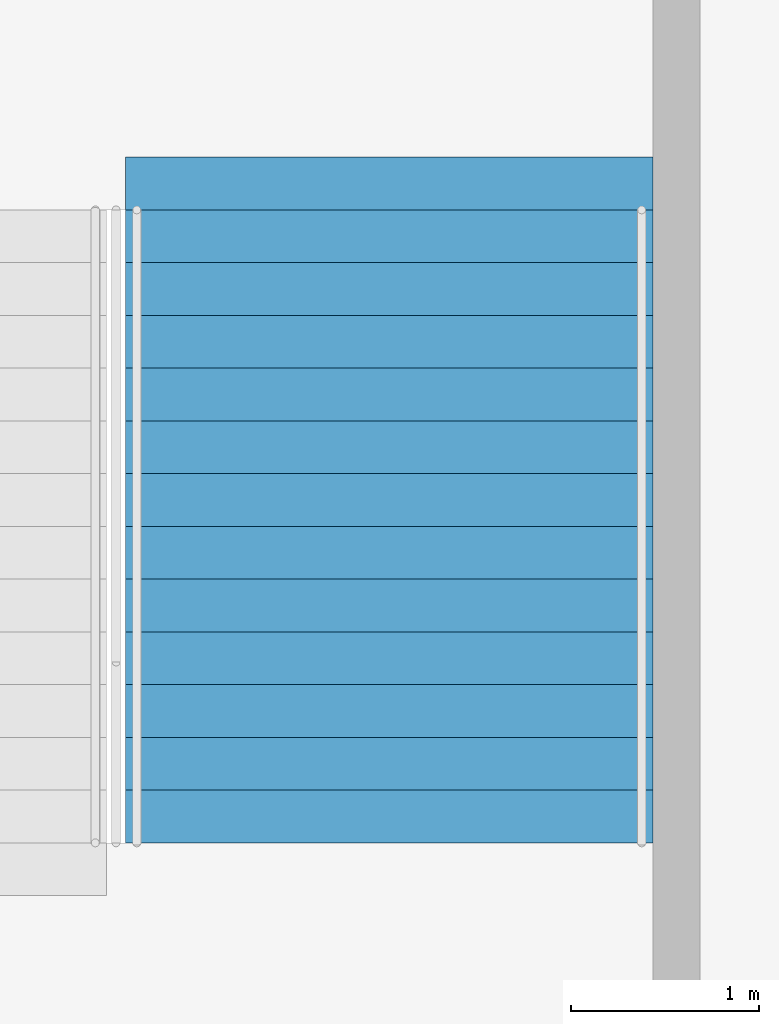
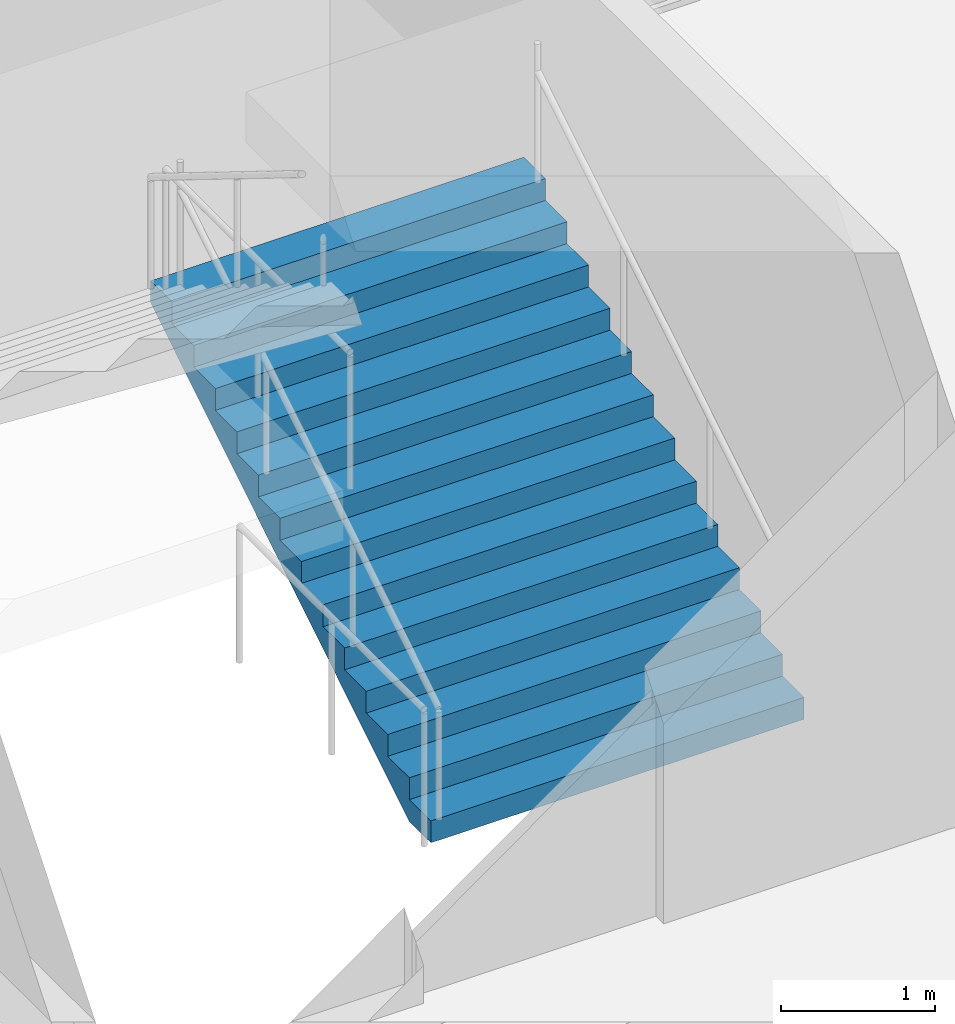
# One storey, part 173 of 199: 1 stair flight, 1 element without a shape of its own.
"""IFC4 building model written with IfcOpenShell, lengths in metres."""

import ifcopenshell
import ifcopenshell.guid

model = None  # the IFC model being written
_history = None  # IfcOwnerHistory: only IFC2X3 demands one
_inside = {}  # id of a spatial element -> (the spatial element, [elements in it])
_under = {}  # id of a project, library or spatial element -> (it, [spatial elements below it])
_declared = {}  # id of a project -> (the project, [libraries it declares])
_typed = {}  # id of a type object -> (the type object, [elements of that type])
_made_of = {}  # id of a material, layer set ... -> (it, [elements and type objects made of it])


def new_model(schema):
    """Start an empty IFC model of exactly this schema.

    Asked for "IFC4X3", IfcOpenShell would pick the latest addendum, in which some entities
    have other attributes; the version numbers below select the first issue.
    IFC2X3 requires an IfcOwnerHistory on every rooted entity: one is made here for all.
    """
    global model, _history
    if schema == "IFC4X3":
        model = ifcopenshell.file(schema_version=(4, 3, 0, 0))
    else:
        model = ifcopenshell.file(schema=schema)
    _inside.clear()
    _under.clear()
    _declared.clear()
    _typed.clear()
    _made_of.clear()
    _history = None
    if model.schema == "IFC2X3":
        org = make("IfcOrganization", Name="unknown")
        user = make(
            "IfcPersonAndOrganization",
            ThePerson=make("IfcPerson", FamilyName="unknown"),
            TheOrganization=org,
        )
        app = make(
            "IfcApplication",
            ApplicationDeveloper=org,
            Version="unknown",
            ApplicationFullName="unknown",
            ApplicationIdentifier="unknown",
        )
        _history = make(
            "IfcOwnerHistory",
            OwningUser=user,
            OwningApplication=app,
            ChangeAction="ADDED",
            CreationDate=0,
        )
    return model


def make(cls, **values):
    """One entity of the class cls with the attributes given. An attribute that is None is left unset."""
    return model.create_entity(
        cls, **{name: value for name, value in values.items() if value is not None}
    )


def rooted(cls, **values):
    """An entity with a GlobalId (a new one), such as an element, a storey or a relation."""
    return make(cls, GlobalId=ifcopenshell.guid.new(), OwnerHistory=_history, **values)


def si_unit(unit_type, name, prefix=None):
    """IfcSIUnit, for example si_unit("LENGTHUNIT", "METRE", prefix="MILLI")."""
    return make("IfcSIUnit", UnitType=unit_type, Prefix=prefix, Name=name)


def assignment(units):
    """IfcUnitAssignment: the units of a project."""
    return None if units is None else make("IfcUnitAssignment", Units=units)


def point(xyz):
    """IfcCartesianPoint."""
    return None if xyz is None else make("IfcCartesianPoint", Coordinates=xyz)


def direction(xyz):
    """IfcDirection."""
    return None if xyz is None else make("IfcDirection", DirectionRatios=xyz)


def frame(location, z_axis=None, x_axis=None):
    """IfcAxis2Placement3D, a coordinate frame: its origin and axes. An axis left out is left unset."""
    return make(
        "IfcAxis2Placement3D",
        Location=point(location),
        Axis=direction(z_axis),
        RefDirection=direction(x_axis),
    )


def origin():
    """The frame at (0, 0, 0) with its axes left unset."""
    return frame((0.0, 0.0, 0.0))


def place(relative_to, where):
    """IfcLocalPlacement: puts the frame where relative to a parent placement (None: the world)."""
    return make(
        "IfcLocalPlacement", PlacementRelTo=relative_to, RelativePlacement=where
    )


def context(
    kind, dimensions, precision=None, world=None, true_north=None, identifier=None
):
    """IfcGeometricRepresentationContext, for example the 3D "Model" context."""
    return make(
        "IfcGeometricRepresentationContext",
        ContextIdentifier=identifier,
        ContextType=kind,
        CoordinateSpaceDimension=dimensions,
        Precision=precision,
        WorldCoordinateSystem=world,
        TrueNorth=true_north,
    )


def subcontext(parent, identifier, kind, view, scale=None):
    """IfcGeometricRepresentationSubContext, for example "Body" below "Model"."""
    return make(
        "IfcGeometricRepresentationSubContext",
        ContextIdentifier=identifier,
        ContextType=kind,
        ParentContext=parent,
        TargetScale=scale,
        TargetView=view,
    )


def project(units=None, contexts=None):
    """IfcProject with its units and contexts."""
    return rooted(
        "IfcProject",
        Name="project",
        RepresentationContexts=contexts,
        UnitsInContext=assignment(units),
    )


def spatial(cls, under=None, at=None, **own):
    """A site, building, storey or space (cls), placed at a placement, below another one or the project."""
    s = rooted(cls, ObjectPlacement=at, **own)
    if under is not None:
        _under.setdefault(under.id(), (under, []))[1].append(s)
    return s


def faces_of(points, faces, orient=None, outer=None):
    """IfcFace entities. A face is a list of loops; a loop is a list of indices into points, from 0.

    orient and outer hold one flag for each loop. By default every Orientation is true, the
    first loop of a face is its IfcFaceOuterBound and the others are IfcFaceBound.
    """
    made = []
    for i, loops in enumerate(faces):
        bounds = []
        for j, loop in enumerate(loops):
            is_outer = j == 0 if outer is None else outer[i][j]
            bounds.append(
                make(
                    "IfcFaceOuterBound" if is_outer else "IfcFaceBound",
                    Bound=make("IfcPolyLoop", Polygon=[points[k] for k in loop]),
                    Orientation=True if orient is None else orient[i][j],
                )
            )
        made.append(make("IfcFace", Bounds=bounds))
    return made


def faceted_brep(points, faces, orient=None, outer=None, voids=None):
    """IfcFacetedBrep: a solid bounded by flat faces; with voids (closed shells), ...WithVoids."""
    shared = [point(p) for p in points]
    hull = make("IfcClosedShell", CfsFaces=faces_of(shared, faces, orient, outer))
    if voids is None:
        return make("IfcFacetedBrep", Outer=hull)
    return make(
        "IfcFacetedBrepWithVoids",
        Outer=hull,
        Voids=[
            make(cls, CfsFaces=faces_of(shared, fs, o, b)) for cls, fs, o, b in voids
        ],
    )


def shape(context_of_items, identifier, shape_type, items):
    """IfcShapeRepresentation: the items that make up one representation, for example the "Body"."""
    return make(
        "IfcShapeRepresentation",
        ContextOfItems=context_of_items,
        RepresentationIdentifier=identifier,
        RepresentationType=shape_type,
        Items=items,
    )


def material(Name=None, Category=None):
    """IfcMaterial."""
    return make("IfcMaterial", Name=Name, Category=Category)


def made_of(thing, what):
    """Note that an element or type object is made of a material, layer set ...; save() writes the relation."""
    if what is not None:
        _made_of.setdefault(what.id(), (what, []))[1].append(thing)
    return thing


def type_object(cls, material=None, **own):
    """A type object (cls), such as IfcWallType, which elements share."""
    return made_of(rooted(cls, **own), material)


def element(
    cls,
    number,
    at=None,
    inside=None,
    cuts=None,
    type_object=None,
    material=None,
    context=None,
    identifier="Body",
    shape_type=None,
    held_by="IfcProductDefinitionShape",
    body=None,
    shapes=None,
    **own,
):
    """One element of the class cls, such as IfcWall. Its Tag is "e" and its number.

    at: its placement. inside: the storey or other place that contains it. cuts: it is an
    opening in that element (IfcRelVoidsElement). A single representation is given by context,
    identifier, shape_type and body (its items); several are given by shapes. held_by: the class
    of the entity that holds the representations. save() writes the other relations.
    """
    e = rooted(cls, Tag="e%d" % number, ObjectPlacement=at, **own)
    if body is not None:
        shapes = [shape(context, identifier, shape_type, body)]
    if shapes is not None:
        e.Representation = make(held_by, Representations=shapes)
    if inside is not None:
        _inside.setdefault(inside.id(), (inside, []))[1].append(e)
    if cuts is not None:
        rooted(
            "IfcRelVoidsElement", RelatingBuildingElement=cuts, RelatedOpeningElement=e
        )
    if type_object is not None:
        _typed.setdefault(type_object.id(), (type_object, []))[1].append(e)
    return made_of(e, material)


def aggregate(whole, parts):
    """IfcRelAggregates: a whole, such as a stair, and the parts it consists of."""
    return rooted("IfcRelAggregates", RelatingObject=whole, RelatedObjects=parts)


def save(model, path):
    """Write the relations noted so far, then the file.

    IfcRelAggregates (storeys below a building ...), IfcRelContainedInSpatialStructure (elements
    in a storey), IfcRelDefinesByType, IfcRelAssociatesMaterial and IfcRelDeclares: one each for
    every whole, place, type object, material and project.
    """
    for whole, parts in _under.values():
        aggregate(whole, parts)
    for where, things in _inside.values():
        rooted(
            "IfcRelContainedInSpatialStructure",
            RelatedElements=things,
            RelatingStructure=where,
        )
    for kind, things in _typed.values():
        rooted("IfcRelDefinesByType", RelatedObjects=things, RelatingType=kind)
    for what, things in _made_of.values():
        rooted("IfcRelAssociatesMaterial", RelatedObjects=things, RelatingMaterial=what)
    for by, libraries in _declared.values():
        rooted("IfcRelDeclares", RelatingContext=by, RelatedDefinitions=libraries)
    model.write(path)


model = new_model("IFC4")

# Units and contexts
model_context = context("Model", 3, precision=1e-05, world=origin(), true_north=direction((0.0, 1.0)))
body_context = subcontext(model_context, "Body", "Model", "MODEL_VIEW")
ifc_project = project(units=[si_unit("LENGTHUNIT", "METRE"), si_unit("AREAUNIT", "SQUARE_METRE"), si_unit("VOLUMEUNIT", "CUBIC_METRE"), si_unit("PLANEANGLEUNIT", "RADIAN"), si_unit("MASSUNIT", "GRAM", prefix="KILO")], contexts=[model_context])

# Site, building, storey
site_placement = place(None, origin())
site = spatial("IfcSite", under=ifc_project, at=site_placement, CompositionType="ELEMENT")
building_placement = place(site_placement, origin())
building = spatial("IfcBuilding", under=site, at=building_placement, Name="Ogive Plaza Stadium", CompositionType="ELEMENT")
storey_placement = place(building_placement, frame((0.0, 0.0, 4.5)))
storey = spatial("IfcBuildingStorey", under=building, at=storey_placement, Name="L01", CompositionType="ELEMENT", Elevation=4.5)

# Stair, stair flight
ifc_material_1 = material(Name="Concrete C40/50", Category="concrete")
stair_type = type_object("IfcStairType", Name="Exit stair", PredefinedType="STRAIGHT_RUN_STAIR", material=ifc_material_1)
stair_placement = place(storey_placement, origin())
stair = element("IfcStair", 1, at=stair_placement, inside=storey, type_object=stair_type, Name="Exit stair ST36A L01 to L02", PredefinedType="STRAIGHT_RUN_STAIR")
ifc_material_2 = material(Name="Concrete C40/50", Category="concrete")
stair_flight_type = type_object("IfcStairFlightType", Name="Exit stair flight", PredefinedType="STRAIGHT", material=ifc_material_2)
stair_flight_placement = place(storey_placement, frame((24.824951171875, 94.85009765625, 0.0), z_axis=(0.0, 0.0, 1.0), x_axis=(0.0, 1.0, 0.0)))
stair_flight = element("IfcStairFlight", 2, at=stair_flight_placement, type_object=stair_flight_type, Name="ST36A flight 1", NumberOfRisers=13, NumberOfTreads=12, PredefinedType="STRAIGHT", RiserHeight=0.173076923, TreadLength=0.28, context=body_context, shape_type="Brep", body=[
    faceted_brep([(0.28515625, -1.39990234375, 0.0), (3.639892578125, -1.39990234375, 2.07373046875), (3.639892578125, -1.39990234375, 2.25), (3.360107421875, -1.39990234375, 2.25), (3.360107421875, -1.39990234375, 2.076904296875), (3.080078125, -1.39990234375, 2.076904296875), (3.080078125, -1.39990234375, 1.90380859375), (2.800048828125, -1.39990234375, 1.90380859375), (2.800048828125, -1.39990234375, 1.730712890625), (2.52001953125, -1.39990234375, 1.730712890625), (2.52001953125, -1.39990234375, 1.5576171875), (2.239990234375, -1.39990234375, 1.5576171875), (2.239990234375, -1.39990234375, 1.384521484375), (1.9599609375, -1.39990234375, 1.384521484375), (1.9599609375, -1.39990234375, 1.21142578125), (1.679931640625, -1.39990234375, 1.21142578125), (1.679931640625, -1.39990234375, 1.03857421875), (1.39990234375, -1.39990234375, 1.03857421875), (1.39990234375, -1.39990234375, 0.865478515625), (1.1201171875, -1.39990234375, 0.865478515625), (1.1201171875, -1.39990234375, 0.6923828125), (0.840087890625, -1.39990234375, 0.6923828125), (0.840087890625, -1.39990234375, 0.519287109375), (0.56005859375, -1.39990234375, 0.519287109375), (0.56005859375, -1.39990234375, 0.34619140625), (0.280029296875, -1.39990234375, 0.34619140625), (0.280029296875, -1.39990234375, 0.173095703125), (0.0, -1.39990234375, 0.173095703125), (0.0, -1.39990234375, 0.0), (0.0, 1.39990234375, 0.0), (0.0, 1.39990234375, 0.173095703125), (0.280029296875, 1.39990234375, 0.173095703125), (0.280029296875, 1.39990234375, 0.34619140625), (0.56005859375, 1.39990234375, 0.34619140625), (0.56005859375, 1.39990234375, 0.519287109375), (0.840087890625, 1.39990234375, 0.519287109375), (0.840087890625, 1.39990234375, 0.6923828125), (1.1201171875, 1.39990234375, 0.6923828125), (1.1201171875, 1.39990234375, 0.865478515625), (1.39990234375, 1.39990234375, 0.865478515625), (1.39990234375, 1.39990234375, 1.03857421875), (1.679931640625, 1.39990234375, 1.03857421875), (1.679931640625, 1.39990234375, 1.21142578125), (1.9599609375, 1.39990234375, 1.21142578125), (1.9599609375, 1.39990234375, 1.384521484375), (2.239990234375, 1.39990234375, 1.384521484375), (2.239990234375, 1.39990234375, 1.5576171875), (2.52001953125, 1.39990234375, 1.5576171875), (2.52001953125, 1.39990234375, 1.730712890625), (2.800048828125, 1.39990234375, 1.730712890625), (2.800048828125, 1.39990234375, 1.90380859375), (3.080078125, 1.39990234375, 1.90380859375), (3.080078125, 1.39990234375, 2.076904296875), (3.360107421875, 1.39990234375, 2.076904296875), (3.360107421875, 1.39990234375, 2.25), (3.639892578125, 1.39990234375, 2.25), (3.639892578125, 1.39990234375, 2.07373046875), (0.28515625, 1.39990234375, 0.0), (0.28515625, -1.0888671875, 0.0), (3.639892578125, -1.0888671875, 2.07373046875), (0.28515625, -0.77783203125, 0.0), (3.639892578125, -0.77783203125, 2.07373046875), (0.28515625, -0.466796875, 0.0), (3.639892578125, -0.466796875, 2.07373046875), (0.28515625, -0.155517578125, 0.0), (3.639892578125, -0.155517578125, 2.07373046875), (0.28515625, 0.155517578125, 0.0), (3.639892578125, 0.155517578125, 2.07373046875), (0.28515625, 0.466796875, 0.0), (3.639892578125, 0.466796875, 2.07373046875), (0.28515625, 0.77783203125, 0.0), (3.639892578125, 0.77783203125, 2.07373046875), (0.28515625, 1.0888671875, 0.0), (3.639892578125, 1.0888671875, 2.07373046875), (3.639892578125, -1.0888671875, 2.25), (3.639892578125, -0.77783203125, 2.25), (3.639892578125, -0.466796875, 2.25), (3.639892578125, -0.155517578125, 2.25), (3.639892578125, 0.155517578125, 2.25), (3.639892578125, 0.466796875, 2.25), (3.639892578125, 0.77783203125, 2.25), (3.639892578125, 1.0888671875, 2.25), (3.360107421875, -1.0888671875, 2.25), (3.360107421875, -0.77783203125, 2.25), (3.360107421875, -0.466796875, 2.25), (3.360107421875, -0.155517578125, 2.25), (3.360107421875, 0.155517578125, 2.25), (3.360107421875, 0.466796875, 2.25), (3.360107421875, 0.77783203125, 2.25), (3.360107421875, 1.0888671875, 2.25), (3.360107421875, -1.0888671875, 2.076904296875), (3.360107421875, -0.77783203125, 2.076904296875), (3.360107421875, -0.466796875, 2.076904296875), (3.360107421875, -0.155517578125, 2.076904296875), (3.360107421875, 0.155517578125, 2.076904296875), (3.360107421875, 0.466796875, 2.076904296875), (3.360107421875, 0.77783203125, 2.076904296875), (3.360107421875, 1.0888671875, 2.076904296875), (3.080078125, -1.0888671875, 2.076904296875), (3.080078125, -0.77783203125, 2.076904296875), (3.080078125, -0.466796875, 2.076904296875), (3.080078125, -0.155517578125, 2.076904296875), (3.080078125, 0.155517578125, 2.076904296875), (3.080078125, 0.466796875, 2.076904296875), (3.080078125, 0.77783203125, 2.076904296875), (3.080078125, 1.0888671875, 2.076904296875), (3.080078125, -1.0888671875, 1.90380859375), (3.080078125, -0.77783203125, 1.90380859375), (3.080078125, -0.466796875, 1.90380859375), (3.080078125, -0.155517578125, 1.90380859375), (3.080078125, 0.155517578125, 1.90380859375), (3.080078125, 0.466796875, 1.90380859375), (3.080078125, 0.77783203125, 1.90380859375), (3.080078125, 1.0888671875, 1.90380859375), (2.800048828125, -1.0888671875, 1.90380859375), (2.800048828125, -0.77783203125, 1.90380859375), (2.800048828125, -0.466796875, 1.90380859375), (2.800048828125, -0.155517578125, 1.90380859375), (2.800048828125, 0.155517578125, 1.90380859375), (2.800048828125, 0.466796875, 1.90380859375), (2.800048828125, 0.77783203125, 1.90380859375), (2.800048828125, 1.0888671875, 1.90380859375), (2.800048828125, -1.0888671875, 1.730712890625), (2.800048828125, -0.77783203125, 1.730712890625), (2.800048828125, -0.466796875, 1.730712890625), (2.800048828125, -0.155517578125, 1.730712890625), (2.800048828125, 0.155517578125, 1.730712890625), (2.800048828125, 0.466796875, 1.730712890625), (2.800048828125, 0.77783203125, 1.730712890625), (2.800048828125, 1.0888671875, 1.730712890625), (2.52001953125, -1.0888671875, 1.730712890625), (2.52001953125, -0.77783203125, 1.730712890625), (2.52001953125, -0.466796875, 1.730712890625), (2.52001953125, -0.155517578125, 1.730712890625), (2.52001953125, 0.155517578125, 1.730712890625), (2.52001953125, 0.466796875, 1.730712890625), (2.52001953125, 0.77783203125, 1.730712890625), (2.52001953125, 1.0888671875, 1.730712890625), (2.52001953125, -1.0888671875, 1.5576171875), (2.52001953125, -0.77783203125, 1.5576171875), (2.52001953125, -0.466796875, 1.5576171875), (2.52001953125, -0.155517578125, 1.5576171875), (2.52001953125, 0.155517578125, 1.5576171875), (2.52001953125, 0.466796875, 1.5576171875), (2.52001953125, 0.77783203125, 1.5576171875), (2.52001953125, 1.0888671875, 1.5576171875), (2.239990234375, -1.0888671875, 1.5576171875), (2.239990234375, -0.77783203125, 1.5576171875), (2.239990234375, -0.466796875, 1.5576171875), (2.239990234375, -0.155517578125, 1.5576171875), (2.239990234375, 0.155517578125, 1.5576171875), (2.239990234375, 0.466796875, 1.5576171875), (2.239990234375, 0.77783203125, 1.5576171875), (2.239990234375, 1.0888671875, 1.5576171875), (2.239990234375, -1.0888671875, 1.384521484375), (2.239990234375, -0.77783203125, 1.384521484375), (2.239990234375, -0.466796875, 1.384521484375), (2.239990234375, -0.155517578125, 1.384521484375), (2.239990234375, 0.155517578125, 1.384521484375), (2.239990234375, 0.466796875, 1.384521484375), (2.239990234375, 0.77783203125, 1.384521484375), (2.239990234375, 1.0888671875, 1.384521484375), (1.9599609375, -1.0888671875, 1.384521484375), (1.9599609375, -0.77783203125, 1.384521484375), (1.9599609375, -0.466796875, 1.384521484375), (1.9599609375, -0.155517578125, 1.384521484375), (1.9599609375, 0.155517578125, 1.384521484375), (1.9599609375, 0.466796875, 1.384521484375), (1.9599609375, 0.77783203125, 1.384521484375), (1.9599609375, 1.0888671875, 1.384521484375), (1.9599609375, -1.0888671875, 1.21142578125), (1.9599609375, -0.77783203125, 1.21142578125), (1.9599609375, -0.466796875, 1.21142578125), (1.9599609375, -0.155517578125, 1.21142578125), (1.9599609375, 0.155517578125, 1.21142578125), (1.9599609375, 0.466796875, 1.21142578125), (1.9599609375, 0.77783203125, 1.21142578125), (1.9599609375, 1.0888671875, 1.21142578125), (1.679931640625, -1.0888671875, 1.21142578125), (1.679931640625, -0.77783203125, 1.21142578125), (1.679931640625, -0.466796875, 1.21142578125), (1.679931640625, -0.155517578125, 1.21142578125), (1.679931640625, 0.155517578125, 1.21142578125), (1.679931640625, 0.466796875, 1.21142578125), (1.679931640625, 0.77783203125, 1.21142578125), (1.679931640625, 1.0888671875, 1.21142578125), (1.679931640625, -1.0888671875, 1.03857421875), (1.679931640625, -0.77783203125, 1.03857421875), (1.679931640625, -0.466796875, 1.03857421875), (1.679931640625, -0.155517578125, 1.03857421875), (1.679931640625, 0.155517578125, 1.03857421875), (1.679931640625, 0.466796875, 1.03857421875), (1.679931640625, 0.77783203125, 1.03857421875), (1.679931640625, 1.0888671875, 1.03857421875), (1.39990234375, -1.0888671875, 1.03857421875), (1.39990234375, -0.77783203125, 1.03857421875), (1.39990234375, -0.466796875, 1.03857421875), (1.39990234375, -0.155517578125, 1.03857421875), (1.39990234375, 0.155517578125, 1.03857421875), (1.39990234375, 0.466796875, 1.03857421875), (1.39990234375, 0.77783203125, 1.03857421875), (1.39990234375, 1.0888671875, 1.03857421875), (1.39990234375, -1.0888671875, 0.865478515625), (1.39990234375, -0.77783203125, 0.865478515625), (1.39990234375, -0.466796875, 0.865478515625), (1.39990234375, -0.155517578125, 0.865478515625), (1.39990234375, 0.155517578125, 0.865478515625), (1.39990234375, 0.466796875, 0.865478515625), (1.39990234375, 0.77783203125, 0.865478515625), (1.39990234375, 1.0888671875, 0.865478515625), (1.1201171875, -1.0888671875, 0.865478515625), (1.1201171875, -0.77783203125, 0.865478515625), (1.1201171875, -0.466796875, 0.865478515625), (1.1201171875, -0.155517578125, 0.865478515625), (1.1201171875, 0.155517578125, 0.865478515625), (1.1201171875, 0.466796875, 0.865478515625), (1.1201171875, 0.77783203125, 0.865478515625), (1.1201171875, 1.0888671875, 0.865478515625), (1.1201171875, -1.0888671875, 0.6923828125), (1.1201171875, -0.77783203125, 0.6923828125), (1.1201171875, -0.466796875, 0.6923828125), (1.1201171875, -0.155517578125, 0.6923828125), (1.1201171875, 0.155517578125, 0.6923828125), (1.1201171875, 0.466796875, 0.6923828125), (1.1201171875, 0.77783203125, 0.6923828125), (1.1201171875, 1.0888671875, 0.6923828125), (0.840087890625, -1.0888671875, 0.6923828125), (0.840087890625, -0.77783203125, 0.6923828125), (0.840087890625, -0.466796875, 0.6923828125), (0.840087890625, -0.155517578125, 0.6923828125), (0.840087890625, 0.155517578125, 0.6923828125), (0.840087890625, 0.466796875, 0.6923828125), (0.840087890625, 0.77783203125, 0.6923828125), (0.840087890625, 1.0888671875, 0.6923828125), (0.840087890625, -1.0888671875, 0.519287109375), (0.840087890625, -0.77783203125, 0.519287109375), (0.840087890625, -0.466796875, 0.519287109375), (0.840087890625, -0.155517578125, 0.519287109375), (0.840087890625, 0.155517578125, 0.519287109375), (0.840087890625, 0.466796875, 0.519287109375), (0.840087890625, 0.77783203125, 0.519287109375), (0.840087890625, 1.0888671875, 0.519287109375), (0.56005859375, -1.0888671875, 0.519287109375), (0.56005859375, -0.77783203125, 0.519287109375), (0.56005859375, -0.466796875, 0.519287109375), (0.56005859375, -0.155517578125, 0.519287109375), (0.56005859375, 0.155517578125, 0.519287109375), (0.56005859375, 0.466796875, 0.519287109375), (0.56005859375, 0.77783203125, 0.519287109375), (0.56005859375, 1.0888671875, 0.519287109375), (0.56005859375, -1.0888671875, 0.34619140625), (0.56005859375, -0.77783203125, 0.34619140625), (0.56005859375, -0.466796875, 0.34619140625), (0.56005859375, -0.155517578125, 0.34619140625), (0.56005859375, 0.155517578125, 0.34619140625), (0.56005859375, 0.466796875, 0.34619140625), (0.56005859375, 0.77783203125, 0.34619140625), (0.56005859375, 1.0888671875, 0.34619140625), (0.280029296875, -1.0888671875, 0.34619140625), (0.280029296875, -0.77783203125, 0.34619140625), (0.280029296875, -0.466796875, 0.34619140625), (0.280029296875, -0.155517578125, 0.34619140625), (0.280029296875, 0.155517578125, 0.34619140625), (0.280029296875, 0.466796875, 0.34619140625), (0.280029296875, 0.77783203125, 0.34619140625), (0.280029296875, 1.0888671875, 0.34619140625), (0.280029296875, -1.0888671875, 0.173095703125), (0.280029296875, -0.77783203125, 0.173095703125), (0.280029296875, -0.466796875, 0.173095703125), (0.280029296875, -0.155517578125, 0.173095703125), (0.280029296875, 0.155517578125, 0.173095703125), (0.280029296875, 0.466796875, 0.173095703125), (0.280029296875, 0.77783203125, 0.173095703125), (0.280029296875, 1.0888671875, 0.173095703125), (0.0, -1.0888671875, 0.173095703125), (0.0, -0.77783203125, 0.173095703125), (0.0, -0.466796875, 0.173095703125), (0.0, -0.155517578125, 0.173095703125), (0.0, 0.155517578125, 0.173095703125), (0.0, 0.466796875, 0.173095703125), (0.0, 0.77783203125, 0.173095703125), (0.0, 1.0888671875, 0.173095703125), (0.0, -1.0888671875, 0.0), (0.0, -0.77783203125, 0.0), (0.0, -0.466796875, 0.0), (0.0, -0.155517578125, 0.0), (0.0, 0.155517578125, 0.0), (0.0, 0.466796875, 0.0), (0.0, 0.77783203125, 0.0), (0.0, 1.0888671875, 0.0)], [[[0, 1, 2, 3, 4, 5, 6, 7, 8, 9, 10, 11, 12, 13, 14, 15, 16, 17, 18, 19, 20, 21, 22, 23, 24, 25, 26, 27, 28]], [[29, 30, 31, 32, 33, 34, 35, 36, 37, 38, 39, 40, 41, 42, 43, 44, 45, 46, 47, 48, 49, 50, 51, 52, 53, 54, 55, 56, 57]], [[0, 58, 59, 1]], [[58, 60, 61, 59]], [[60, 62, 63, 61]], [[62, 64, 65, 63]], [[64, 66, 67, 65]], [[66, 68, 69, 67]], [[68, 70, 71, 69]], [[70, 72, 73, 71]], [[72, 57, 56, 73]], [[1, 59, 74, 2]], [[59, 61, 75, 74]], [[61, 63, 76, 75]], [[63, 65, 77, 76]], [[65, 67, 78, 77]], [[67, 69, 79, 78]], [[69, 71, 80, 79]], [[71, 73, 81, 80]], [[73, 56, 55, 81]], [[2, 74, 82, 3]], [[74, 75, 83, 82]], [[75, 76, 84, 83]], [[76, 77, 85, 84]], [[77, 78, 86, 85]], [[78, 79, 87, 86]], [[79, 80, 88, 87]], [[80, 81, 89, 88]], [[81, 55, 54, 89]], [[3, 82, 90, 4]], [[82, 83, 91, 90]], [[83, 84, 92, 91]], [[84, 85, 93, 92]], [[85, 86, 94, 93]], [[86, 87, 95, 94]], [[87, 88, 96, 95]], [[88, 89, 97, 96]], [[89, 54, 53, 97]], [[4, 90, 98, 5]], [[90, 91, 99, 98]], [[91, 92, 100, 99]], [[92, 93, 101, 100]], [[93, 94, 102, 101]], [[94, 95, 103, 102]], [[95, 96, 104, 103]], [[96, 97, 105, 104]], [[97, 53, 52, 105]], [[5, 98, 106, 6]], [[98, 99, 107, 106]], [[99, 100, 108, 107]], [[100, 101, 109, 108]], [[101, 102, 110, 109]], [[102, 103, 111, 110]], [[103, 104, 112, 111]], [[104, 105, 113, 112]], [[105, 52, 51, 113]], [[6, 106, 114, 7]], [[106, 107, 115, 114]], [[107, 108, 116, 115]], [[108, 109, 117, 116]], [[109, 110, 118, 117]], [[110, 111, 119, 118]], [[111, 112, 120, 119]], [[112, 113, 121, 120]], [[113, 51, 50, 121]], [[7, 114, 122, 8]], [[114, 115, 123, 122]], [[115, 116, 124, 123]], [[116, 117, 125, 124]], [[117, 118, 126, 125]], [[118, 119, 127, 126]], [[119, 120, 128, 127]], [[120, 121, 129, 128]], [[121, 50, 49, 129]], [[8, 122, 130, 9]], [[122, 123, 131, 130]], [[123, 124, 132, 131]], [[124, 125, 133, 132]], [[125, 126, 134, 133]], [[126, 127, 135, 134]], [[127, 128, 136, 135]], [[128, 129, 137, 136]], [[129, 49, 48, 137]], [[9, 130, 138, 10]], [[130, 131, 139, 138]], [[131, 132, 140, 139]], [[132, 133, 141, 140]], [[133, 134, 142, 141]], [[134, 135, 143, 142]], [[135, 136, 144, 143]], [[136, 137, 145, 144]], [[137, 48, 47, 145]], [[10, 138, 146, 11]], [[138, 139, 147, 146]], [[139, 140, 148, 147]], [[140, 141, 149, 148]], [[141, 142, 150, 149]], [[142, 143, 151, 150]], [[143, 144, 152, 151]], [[144, 145, 153, 152]], [[145, 47, 46, 153]], [[11, 146, 154, 12]], [[146, 147, 155, 154]], [[147, 148, 156, 155]], [[148, 149, 157, 156]], [[149, 150, 158, 157]], [[150, 151, 159, 158]], [[151, 152, 160, 159]], [[152, 153, 161, 160]], [[153, 46, 45, 161]], [[12, 154, 162, 13]], [[154, 155, 163, 162]], [[155, 156, 164, 163]], [[156, 157, 165, 164]], [[157, 158, 166, 165]], [[158, 159, 167, 166]], [[159, 160, 168, 167]], [[160, 161, 169, 168]], [[161, 45, 44, 169]], [[13, 162, 170, 14]], [[162, 163, 171, 170]], [[163, 164, 172, 171]], [[164, 165, 173, 172]], [[165, 166, 174, 173]], [[166, 167, 175, 174]], [[167, 168, 176, 175]], [[168, 169, 177, 176]], [[169, 44, 43, 177]], [[14, 170, 178, 15]], [[170, 171, 179, 178]], [[171, 172, 180, 179]], [[172, 173, 181, 180]], [[173, 174, 182, 181]], [[174, 175, 183, 182]], [[175, 176, 184, 183]], [[176, 177, 185, 184]], [[177, 43, 42, 185]], [[15, 178, 186, 16]], [[178, 179, 187, 186]], [[179, 180, 188, 187]], [[180, 181, 189, 188]], [[181, 182, 190, 189]], [[182, 183, 191, 190]], [[183, 184, 192, 191]], [[184, 185, 193, 192]], [[185, 42, 41, 193]], [[16, 186, 194, 17]], [[186, 187, 195, 194]], [[187, 188, 196, 195]], [[188, 189, 197, 196]], [[189, 190, 198, 197]], [[190, 191, 199, 198]], [[191, 192, 200, 199]], [[192, 193, 201, 200]], [[193, 41, 40, 201]], [[17, 194, 202, 18]], [[194, 195, 203, 202]], [[195, 196, 204, 203]], [[196, 197, 205, 204]], [[197, 198, 206, 205]], [[198, 199, 207, 206]], [[199, 200, 208, 207]], [[200, 201, 209, 208]], [[201, 40, 39, 209]], [[18, 202, 210, 19]], [[202, 203, 211, 210]], [[203, 204, 212, 211]], [[204, 205, 213, 212]], [[205, 206, 214, 213]], [[206, 207, 215, 214]], [[207, 208, 216, 215]], [[208, 209, 217, 216]], [[209, 39, 38, 217]], [[19, 210, 218, 20]], [[210, 211, 219, 218]], [[211, 212, 220, 219]], [[212, 213, 221, 220]], [[213, 214, 222, 221]], [[214, 215, 223, 222]], [[215, 216, 224, 223]], [[216, 217, 225, 224]], [[217, 38, 37, 225]], [[20, 218, 226, 21]], [[218, 219, 227, 226]], [[219, 220, 228, 227]], [[220, 221, 229, 228]], [[221, 222, 230, 229]], [[222, 223, 231, 230]], [[223, 224, 232, 231]], [[224, 225, 233, 232]], [[225, 37, 36, 233]], [[21, 226, 234, 22]], [[226, 227, 235, 234]], [[227, 228, 236, 235]], [[228, 229, 237, 236]], [[229, 230, 238, 237]], [[230, 231, 239, 238]], [[231, 232, 240, 239]], [[232, 233, 241, 240]], [[233, 36, 35, 241]], [[22, 234, 242, 23]], [[234, 235, 243, 242]], [[235, 236, 244, 243]], [[236, 237, 245, 244]], [[237, 238, 246, 245]], [[238, 239, 247, 246]], [[239, 240, 248, 247]], [[240, 241, 249, 248]], [[241, 35, 34, 249]], [[23, 242, 250, 24]], [[242, 243, 251, 250]], [[243, 244, 252, 251]], [[244, 245, 253, 252]], [[245, 246, 254, 253]], [[246, 247, 255, 254]], [[247, 248, 256, 255]], [[248, 249, 257, 256]], [[249, 34, 33, 257]], [[24, 250, 258, 25]], [[250, 251, 259, 258]], [[251, 252, 260, 259]], [[252, 253, 261, 260]], [[253, 254, 262, 261]], [[254, 255, 263, 262]], [[255, 256, 264, 263]], [[256, 257, 265, 264]], [[257, 33, 32, 265]], [[25, 258, 266, 26]], [[258, 259, 267, 266]], [[259, 260, 268, 267]], [[260, 261, 269, 268]], [[261, 262, 270, 269]], [[262, 263, 271, 270]], [[263, 264, 272, 271]], [[264, 265, 273, 272]], [[265, 32, 31, 273]], [[26, 266, 274, 27]], [[266, 267, 275, 274]], [[267, 268, 276, 275]], [[268, 269, 277, 276]], [[269, 270, 278, 277]], [[270, 271, 279, 278]], [[271, 272, 280, 279]], [[272, 273, 281, 280]], [[273, 31, 30, 281]], [[27, 274, 282, 28]], [[274, 275, 283, 282]], [[275, 276, 284, 283]], [[276, 277, 285, 284]], [[277, 278, 286, 285]], [[278, 279, 287, 286]], [[279, 280, 288, 287]], [[280, 281, 289, 288]], [[281, 30, 29, 289]], [[28, 282, 58, 0]], [[282, 283, 60, 58]], [[283, 284, 62, 60]], [[284, 285, 64, 62]], [[285, 286, 66, 64]], [[286, 287, 68, 66]], [[287, 288, 70, 68]], [[288, 289, 72, 70]], [[289, 29, 57, 72]]]),
])
aggregate(stair, [stair_flight])

save(model, "model.ifc")
